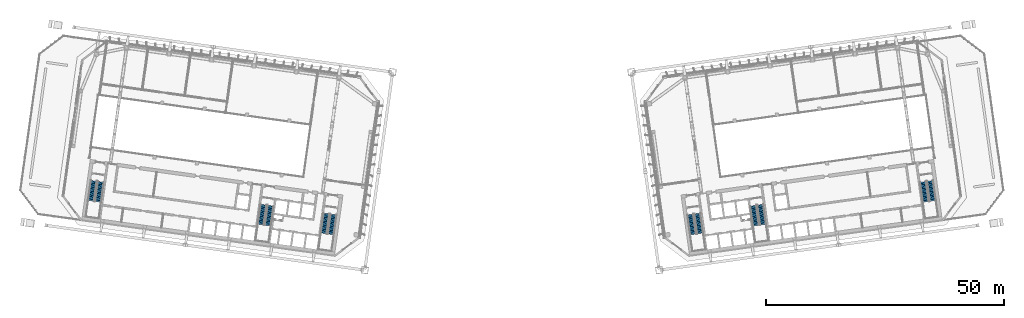
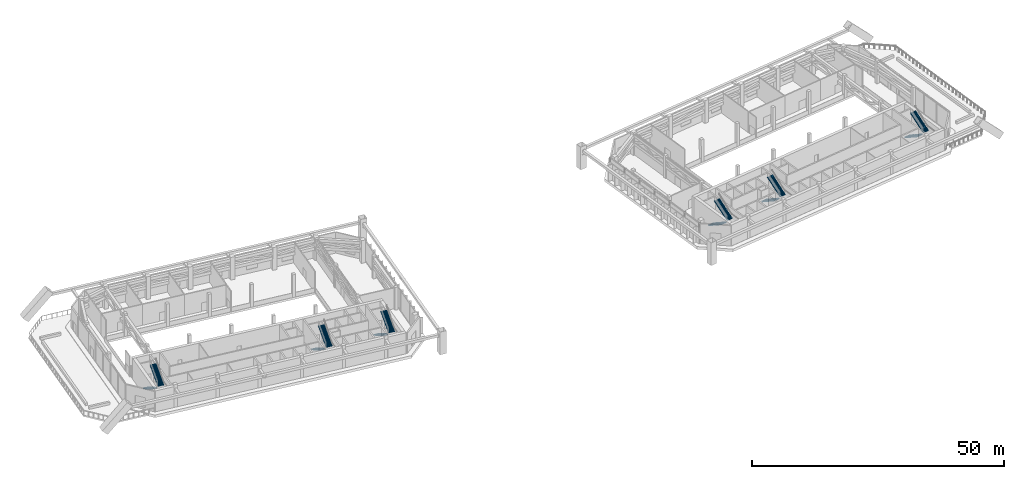
# One storey, part 26 of 41: 12 stair flights, 6 elements without a shape of their own.
"""IFC4 building model written with IfcOpenShell, lengths in metres."""

from ifc_helpers import new_model, si_unit, direction, frame, origin, place, context, subcontext, project, spatial, polyline, outline, extrude, material, type_object, element, aggregate, save


model = new_model("IFC4")

# Units and contexts
model_context = context("Model", 3, precision=1e-05, world=origin(), true_north=direction((0.0, 1.0)))
body_context = subcontext(model_context, "Body", "Model", "MODEL_VIEW")
ifc_project = project(units=[si_unit("LENGTHUNIT", "METRE"), si_unit("AREAUNIT", "SQUARE_METRE"), si_unit("VOLUMEUNIT", "CUBIC_METRE"), si_unit("PLANEANGLEUNIT", "RADIAN"), si_unit("MASSUNIT", "GRAM", prefix="KILO")], contexts=[model_context])

# Site, building, storey
site_placement = place(None, origin())
site = spatial("IfcSite", under=ifc_project, at=site_placement, CompositionType="ELEMENT")
building_placement = place(site_placement, origin())
building = spatial("IfcBuilding", under=site, at=building_placement, Name="Mirante Cascada Hotel Towers", CompositionType="ELEMENT")
storey_placement = place(building_placement, frame((0.0, 0.0, 151.9)))
storey = spatial("IfcBuildingStorey", under=building, at=storey_placement, Name="L35", CompositionType="ELEMENT", Elevation=151.9)

# Stair, stair flights
ifc_material_1 = material(Name="Concrete C35/45", Category="concrete")
stair_type = type_object("IfcStairType", Name="Exit stair half-turn 1350 concrete C35/45", PredefinedType="HALF_TURN_STAIR", material=ifc_material_1)
stair_1_placement = place(storey_placement, origin())
stair_1 = element("IfcStair", 1, at=stair_1_placement, inside=storey, type_object=stair_type, Name="L35 Exit stair A", PredefinedType="HALF_TURN_STAIR")
ifc_material_2 = material(Name="Concrete C35/45", Category="concrete")
stair_flight_type = type_object("IfcStairFlightType", Name="Exit stair flight 1350 concrete C35/45", PredefinedType="STRAIGHT", material=ifc_material_2)
stair_flight_1_placement = place(storey_placement, frame((-38.9417, -11.195, 0.0), z_axis=(0.0, 0.0, 1.0), x_axis=(-0.1391731, -0.9902681, 0.0)))
stair_flight_1 = element("IfcStairFlight", 2, at=stair_flight_1_placement, type_object=stair_flight_type, Name="ST1-A flight 1", NumberOfRisers=16, NumberOfTreads=15, PredefinedType="STRAIGHT", RiserHeight=0.171875, TreadLength=0.28, context=body_context, shape_type="SweptSolid", body=[
    extrude(outline(polyline([(0.0, 0.0), (0.0, 0.1719), (0.28, 0.1719), (0.28, 0.3438), (0.56, 0.3438), (0.56, 0.5156), (0.84, 0.5156), (0.84, 0.6875), (1.12, 0.6875), (1.12, 0.8594), (1.4, 0.8594), (1.4, 1.0312), (1.68, 1.0312), (1.68, 1.2031), (1.96, 1.2031), (1.96, 1.375), (2.24, 1.375), (2.24, 1.5469), (2.52, 1.5469), (2.52, 1.7188), (2.8, 1.7188), (2.8, 1.8906), (3.08, 1.8906), (3.08, 2.0625), (3.36, 2.0625), (3.36, 2.2344), (3.64, 2.2344), (3.64, 2.4062), (3.92, 2.4062), (3.92, 2.5781), (4.2, 2.5781), (4.2, 2.75), (4.2, 2.4021), (0.2867, 0.0), (0.0, 0.0)])), frame((0.0, 0.675, 0.0), z_axis=(0.0, -1.0, 0.0), x_axis=(1.0, 0.0, 0.0)), (0.0, 0.0, 1.0), 1.35),
])
stair_flight_2_placement = place(storey_placement, frame((-38.0408, -15.5629, 2.75), z_axis=(0.0, 0.0, 1.0), x_axis=(0.1391731, 0.9902681, 0.0)))
stair_flight_2 = element("IfcStairFlight", 3, at=stair_flight_2_placement, type_object=stair_flight_type, Name="ST1-A flight 2", NumberOfRisers=16, NumberOfTreads=15, PredefinedType="STRAIGHT", RiserHeight=0.171875, TreadLength=0.28, context=body_context, shape_type="SweptSolid", body=[
    extrude(outline(polyline([(0.0, 0.0), (0.0, 0.1719), (0.28, 0.1719), (0.28, 0.3438), (0.56, 0.3438), (0.56, 0.5156), (0.84, 0.5156), (0.84, 0.6875), (1.12, 0.6875), (1.12, 0.8594), (1.4, 0.8594), (1.4, 1.0312), (1.68, 1.0312), (1.68, 1.2031), (1.96, 1.2031), (1.96, 1.375), (2.24, 1.375), (2.24, 1.5469), (2.52, 1.5469), (2.52, 1.7188), (2.8, 1.7188), (2.8, 1.8906), (3.08, 1.8906), (3.08, 2.0625), (3.36, 2.0625), (3.36, 2.2344), (3.64, 2.2344), (3.64, 2.4062), (3.92, 2.4062), (3.92, 2.5781), (4.2, 2.5781), (4.2, 2.75), (4.2, 2.4021), (0.2867, 0.0), (0.0, 0.0)])), frame((0.0, 0.675, 0.0), z_axis=(0.0, -1.0, 0.0), x_axis=(1.0, 0.0, 0.0)), (0.0, 0.0, 1.0), 1.35),
])
aggregate(stair_1, [stair_flight_1, stair_flight_2])

stair_2_placement = place(storey_placement, origin())
stair_2 = element("IfcStair", 4, at=stair_2_placement, inside=storey, type_object=stair_type, Name="L35 Exit stair B", PredefinedType="HALF_TURN_STAIR")
stair_flight_3_placement = place(storey_placement, frame((-52.1618, -9.3371, 0.0), z_axis=(0.0, 0.0, 1.0), x_axis=(-0.1391731, -0.9902681, 0.0)))
stair_flight_3 = element("IfcStairFlight", 5, at=stair_flight_3_placement, type_object=stair_flight_type, Name="ST1-B flight 1", NumberOfRisers=16, NumberOfTreads=15, PredefinedType="STRAIGHT", RiserHeight=0.171875, TreadLength=0.28, context=body_context, shape_type="SweptSolid", body=[
    extrude(outline(polyline([(0.0, 0.0), (0.0, 0.1719), (0.28, 0.1719), (0.28, 0.3438), (0.56, 0.3438), (0.56, 0.5156), (0.84, 0.5156), (0.84, 0.6875), (1.12, 0.6875), (1.12, 0.8594), (1.4, 0.8594), (1.4, 1.0312), (1.68, 1.0312), (1.68, 1.2031), (1.96, 1.2031), (1.96, 1.375), (2.24, 1.375), (2.24, 1.5469), (2.52, 1.5469), (2.52, 1.7188), (2.8, 1.7188), (2.8, 1.8906), (3.08, 1.8906), (3.08, 2.0625), (3.36, 2.0625), (3.36, 2.2344), (3.64, 2.2344), (3.64, 2.4062), (3.92, 2.4062), (3.92, 2.5781), (4.2, 2.5781), (4.2, 2.75), (4.2, 2.4021), (0.2867, 0.0), (0.0, 0.0)])), frame((0.0, 0.675, 0.0), z_axis=(0.0, -1.0, 0.0), x_axis=(1.0, 0.0, 0.0)), (0.0, 0.0, 1.0), 1.35),
])
stair_flight_4_placement = place(storey_placement, frame((-51.2609, -13.705, 2.75), z_axis=(0.0, 0.0, 1.0), x_axis=(0.1391731, 0.9902681, 0.0)))
stair_flight_4 = element("IfcStairFlight", 6, at=stair_flight_4_placement, type_object=stair_flight_type, Name="ST1-B flight 2", NumberOfRisers=16, NumberOfTreads=15, PredefinedType="STRAIGHT", RiserHeight=0.171875, TreadLength=0.28, context=body_context, shape_type="SweptSolid", body=[
    extrude(outline(polyline([(0.0, 0.0), (0.0, 0.1719), (0.28, 0.1719), (0.28, 0.3438), (0.56, 0.3438), (0.56, 0.5156), (0.84, 0.5156), (0.84, 0.6875), (1.12, 0.6875), (1.12, 0.8594), (1.4, 0.8594), (1.4, 1.0312), (1.68, 1.0312), (1.68, 1.2031), (1.96, 1.2031), (1.96, 1.375), (2.24, 1.375), (2.24, 1.5469), (2.52, 1.5469), (2.52, 1.7188), (2.8, 1.7188), (2.8, 1.8906), (3.08, 1.8906), (3.08, 2.0625), (3.36, 2.0625), (3.36, 2.2344), (3.64, 2.2344), (3.64, 2.4062), (3.92, 2.4062), (3.92, 2.5781), (4.2, 2.5781), (4.2, 2.75), (4.2, 2.4021), (0.2867, 0.0), (0.0, 0.0)])), frame((0.0, 0.675, 0.0), z_axis=(0.0, -1.0, 0.0), x_axis=(1.0, 0.0, 0.0)), (0.0, 0.0, 1.0), 1.35),
])
aggregate(stair_2, [stair_flight_3, stair_flight_4])

stair_3_placement = place(storey_placement, origin())
stair_3 = element("IfcStair", 7, at=stair_3_placement, inside=storey, type_object=stair_type, Name="L35 Exit stair C", PredefinedType="HALF_TURN_STAIR")
stair_flight_5_placement = place(storey_placement, frame((-87.8115, -4.3268, 0.0), z_axis=(0.0, 0.0, 1.0), x_axis=(-0.1391731, -0.9902681, 0.0)))
stair_flight_5 = element("IfcStairFlight", 8, at=stair_flight_5_placement, type_object=stair_flight_type, Name="ST1-C flight 1", NumberOfRisers=16, NumberOfTreads=15, PredefinedType="STRAIGHT", RiserHeight=0.171875, TreadLength=0.28, context=body_context, shape_type="SweptSolid", body=[
    extrude(outline(polyline([(0.0, 0.0), (0.0, 0.1719), (0.28, 0.1719), (0.28, 0.3438), (0.56, 0.3438), (0.56, 0.5156), (0.84, 0.5156), (0.84, 0.6875), (1.12, 0.6875), (1.12, 0.8594), (1.4, 0.8594), (1.4, 1.0312), (1.68, 1.0312), (1.68, 1.2031), (1.96, 1.2031), (1.96, 1.375), (2.24, 1.375), (2.24, 1.5469), (2.52, 1.5469), (2.52, 1.7188), (2.8, 1.7188), (2.8, 1.8906), (3.08, 1.8906), (3.08, 2.0625), (3.36, 2.0625), (3.36, 2.2344), (3.64, 2.2344), (3.64, 2.4062), (3.92, 2.4062), (3.92, 2.5781), (4.2, 2.5781), (4.2, 2.75), (4.2, 2.4021), (0.2867, 0.0), (0.0, 0.0)])), frame((0.0, 0.675, 0.0), z_axis=(0.0, -1.0, 0.0), x_axis=(1.0, 0.0, 0.0)), (0.0, 0.0, 1.0), 1.35),
])
stair_flight_6_placement = place(storey_placement, frame((-86.9106, -8.6947, 2.75), z_axis=(0.0, 0.0, 1.0), x_axis=(0.1391731, 0.9902681, 0.0)))
stair_flight_6 = element("IfcStairFlight", 9, at=stair_flight_6_placement, type_object=stair_flight_type, Name="ST1-C flight 2", NumberOfRisers=16, NumberOfTreads=15, PredefinedType="STRAIGHT", RiserHeight=0.171875, TreadLength=0.28, context=body_context, shape_type="SweptSolid", body=[
    extrude(outline(polyline([(0.0, 0.0), (0.0, 0.1719), (0.28, 0.1719), (0.28, 0.3438), (0.56, 0.3438), (0.56, 0.5156), (0.84, 0.5156), (0.84, 0.6875), (1.12, 0.6875), (1.12, 0.8594), (1.4, 0.8594), (1.4, 1.0312), (1.68, 1.0312), (1.68, 1.2031), (1.96, 1.2031), (1.96, 1.375), (2.24, 1.375), (2.24, 1.5469), (2.52, 1.5469), (2.52, 1.7188), (2.8, 1.7188), (2.8, 1.8906), (3.08, 1.8906), (3.08, 2.0625), (3.36, 2.0625), (3.36, 2.2344), (3.64, 2.2344), (3.64, 2.4062), (3.92, 2.4062), (3.92, 2.5781), (4.2, 2.5781), (4.2, 2.75), (4.2, 2.4021), (0.2867, 0.0), (0.0, 0.0)])), frame((0.0, 0.675, 0.0), z_axis=(0.0, -1.0, 0.0), x_axis=(1.0, 0.0, 0.0)), (0.0, 0.0, 1.0), 1.35),
])
aggregate(stair_3, [stair_flight_5, stair_flight_6])

stair_4_placement = place(storey_placement, origin())
stair_4 = element("IfcStair", 10, at=stair_4_placement, inside=storey, type_object=stair_type, Name="L35 Exit stair A", PredefinedType="HALF_TURN_STAIR")
stair_flight_7_placement = place(storey_placement, frame((37.4563, -11.4038, 0.0), z_axis=(0.0, 0.0, 1.0), x_axis=(0.1391731, -0.9902681, 0.0)))
stair_flight_7 = element("IfcStairFlight", 11, at=stair_flight_7_placement, type_object=stair_flight_type, Name="ST2-A flight 1", NumberOfRisers=16, NumberOfTreads=15, PredefinedType="STRAIGHT", RiserHeight=0.171875, TreadLength=0.28, context=body_context, shape_type="SweptSolid", body=[
    extrude(outline(polyline([(0.0, 0.0), (0.0, 0.1719), (0.28, 0.1719), (0.28, 0.3438), (0.56, 0.3438), (0.56, 0.5156), (0.84, 0.5156), (0.84, 0.6875), (1.12, 0.6875), (1.12, 0.8594), (1.4, 0.8594), (1.4, 1.0312), (1.68, 1.0312), (1.68, 1.2031), (1.96, 1.2031), (1.96, 1.375), (2.24, 1.375), (2.24, 1.5469), (2.52, 1.5469), (2.52, 1.7188), (2.8, 1.7188), (2.8, 1.8906), (3.08, 1.8906), (3.08, 2.0625), (3.36, 2.0625), (3.36, 2.2344), (3.64, 2.2344), (3.64, 2.4062), (3.92, 2.4062), (3.92, 2.5781), (4.2, 2.5781), (4.2, 2.75), (4.2, 2.4021), (0.2867, 0.0), (0.0, 0.0)])), frame((0.0, 0.675, 0.0), z_axis=(0.0, -1.0, 0.0), x_axis=(1.0, 0.0, 0.0)), (0.0, 0.0, 1.0), 1.35),
])
stair_flight_8_placement = place(storey_placement, frame((39.5262, -15.3542, 2.75), z_axis=(0.0, 0.0, 1.0), x_axis=(-0.1391731, 0.9902681, 0.0)))
stair_flight_8 = element("IfcStairFlight", 12, at=stair_flight_8_placement, type_object=stair_flight_type, Name="ST2-A flight 2", NumberOfRisers=16, NumberOfTreads=15, PredefinedType="STRAIGHT", RiserHeight=0.171875, TreadLength=0.28, context=body_context, shape_type="SweptSolid", body=[
    extrude(outline(polyline([(0.0, 0.0), (0.0, 0.1719), (0.28, 0.1719), (0.28, 0.3438), (0.56, 0.3438), (0.56, 0.5156), (0.84, 0.5156), (0.84, 0.6875), (1.12, 0.6875), (1.12, 0.8594), (1.4, 0.8594), (1.4, 1.0312), (1.68, 1.0312), (1.68, 1.2031), (1.96, 1.2031), (1.96, 1.375), (2.24, 1.375), (2.24, 1.5469), (2.52, 1.5469), (2.52, 1.7188), (2.8, 1.7188), (2.8, 1.8906), (3.08, 1.8906), (3.08, 2.0625), (3.36, 2.0625), (3.36, 2.2344), (3.64, 2.2344), (3.64, 2.4062), (3.92, 2.4062), (3.92, 2.5781), (4.2, 2.5781), (4.2, 2.75), (4.2, 2.4021), (0.2867, 0.0), (0.0, 0.0)])), frame((0.0, 0.675, 0.0), z_axis=(0.0, -1.0, 0.0), x_axis=(1.0, 0.0, 0.0)), (0.0, 0.0, 1.0), 1.35),
])
aggregate(stair_4, [stair_flight_7, stair_flight_8])

stair_5_placement = place(storey_placement, origin())
stair_5 = element("IfcStair", 13, at=stair_5_placement, inside=storey, type_object=stair_type, Name="L35 Exit stair B", PredefinedType="HALF_TURN_STAIR")
stair_flight_9_placement = place(storey_placement, frame((50.6764, -9.5458, 0.0), z_axis=(0.0, 0.0, 1.0), x_axis=(0.1391731, -0.9902681, 0.0)))
stair_flight_9 = element("IfcStairFlight", 14, at=stair_flight_9_placement, type_object=stair_flight_type, Name="ST2-B flight 1", NumberOfRisers=16, NumberOfTreads=15, PredefinedType="STRAIGHT", RiserHeight=0.171875, TreadLength=0.28, context=body_context, shape_type="SweptSolid", body=[
    extrude(outline(polyline([(0.0, 0.0), (0.0, 0.1719), (0.28, 0.1719), (0.28, 0.3438), (0.56, 0.3438), (0.56, 0.5156), (0.84, 0.5156), (0.84, 0.6875), (1.12, 0.6875), (1.12, 0.8594), (1.4, 0.8594), (1.4, 1.0312), (1.68, 1.0312), (1.68, 1.2031), (1.96, 1.2031), (1.96, 1.375), (2.24, 1.375), (2.24, 1.5469), (2.52, 1.5469), (2.52, 1.7188), (2.8, 1.7188), (2.8, 1.8906), (3.08, 1.8906), (3.08, 2.0625), (3.36, 2.0625), (3.36, 2.2344), (3.64, 2.2344), (3.64, 2.4062), (3.92, 2.4062), (3.92, 2.5781), (4.2, 2.5781), (4.2, 2.75), (4.2, 2.4021), (0.2867, 0.0), (0.0, 0.0)])), frame((0.0, 0.675, 0.0), z_axis=(0.0, -1.0, 0.0), x_axis=(1.0, 0.0, 0.0)), (0.0, 0.0, 1.0), 1.35),
])
stair_flight_10_placement = place(storey_placement, frame((52.7463, -13.4962, 2.75), z_axis=(0.0, 0.0, 1.0), x_axis=(-0.1391731, 0.9902681, 0.0)))
stair_flight_10 = element("IfcStairFlight", 15, at=stair_flight_10_placement, type_object=stair_flight_type, Name="ST2-B flight 2", NumberOfRisers=16, NumberOfTreads=15, PredefinedType="STRAIGHT", RiserHeight=0.171875, TreadLength=0.28, context=body_context, shape_type="SweptSolid", body=[
    extrude(outline(polyline([(0.0, 0.0), (0.0, 0.1719), (0.28, 0.1719), (0.28, 0.3438), (0.56, 0.3438), (0.56, 0.5156), (0.84, 0.5156), (0.84, 0.6875), (1.12, 0.6875), (1.12, 0.8594), (1.4, 0.8594), (1.4, 1.0312), (1.68, 1.0312), (1.68, 1.2031), (1.96, 1.2031), (1.96, 1.375), (2.24, 1.375), (2.24, 1.5469), (2.52, 1.5469), (2.52, 1.7188), (2.8, 1.7188), (2.8, 1.8906), (3.08, 1.8906), (3.08, 2.0625), (3.36, 2.0625), (3.36, 2.2344), (3.64, 2.2344), (3.64, 2.4062), (3.92, 2.4062), (3.92, 2.5781), (4.2, 2.5781), (4.2, 2.75), (4.2, 2.4021), (0.2867, 0.0), (0.0, 0.0)])), frame((0.0, 0.675, 0.0), z_axis=(0.0, -1.0, 0.0), x_axis=(1.0, 0.0, 0.0)), (0.0, 0.0, 1.0), 1.35),
])
aggregate(stair_5, [stair_flight_9, stair_flight_10])

stair_6_placement = place(storey_placement, origin())
stair_6 = element("IfcStair", 16, at=stair_6_placement, inside=storey, type_object=stair_type, Name="L35 Exit stair C", PredefinedType="HALF_TURN_STAIR")
stair_flight_11_placement = place(storey_placement, frame((86.326, -4.5356, 0.0), z_axis=(0.0, 0.0, 1.0), x_axis=(0.1391731, -0.9902681, 0.0)))
stair_flight_11 = element("IfcStairFlight", 17, at=stair_flight_11_placement, type_object=stair_flight_type, Name="ST2-C flight 1", NumberOfRisers=16, NumberOfTreads=15, PredefinedType="STRAIGHT", RiserHeight=0.171875, TreadLength=0.28, context=body_context, shape_type="SweptSolid", body=[
    extrude(outline(polyline([(0.0, 0.0), (0.0, 0.1719), (0.28, 0.1719), (0.28, 0.3438), (0.56, 0.3438), (0.56, 0.5156), (0.84, 0.5156), (0.84, 0.6875), (1.12, 0.6875), (1.12, 0.8594), (1.4, 0.8594), (1.4, 1.0312), (1.68, 1.0312), (1.68, 1.2031), (1.96, 1.2031), (1.96, 1.375), (2.24, 1.375), (2.24, 1.5469), (2.52, 1.5469), (2.52, 1.7188), (2.8, 1.7188), (2.8, 1.8906), (3.08, 1.8906), (3.08, 2.0625), (3.36, 2.0625), (3.36, 2.2344), (3.64, 2.2344), (3.64, 2.4062), (3.92, 2.4062), (3.92, 2.5781), (4.2, 2.5781), (4.2, 2.75), (4.2, 2.4021), (0.2867, 0.0), (0.0, 0.0)])), frame((0.0, 0.675, 0.0), z_axis=(0.0, -1.0, 0.0), x_axis=(1.0, 0.0, 0.0)), (0.0, 0.0, 1.0), 1.35),
])
stair_flight_12_placement = place(storey_placement, frame((88.396, -8.486, 2.75), z_axis=(0.0, 0.0, 1.0), x_axis=(-0.1391731, 0.9902681, 0.0)))
stair_flight_12 = element("IfcStairFlight", 18, at=stair_flight_12_placement, type_object=stair_flight_type, Name="ST2-C flight 2", NumberOfRisers=16, NumberOfTreads=15, PredefinedType="STRAIGHT", RiserHeight=0.171875, TreadLength=0.28, context=body_context, shape_type="SweptSolid", body=[
    extrude(outline(polyline([(0.0, 0.0), (0.0, 0.1719), (0.28, 0.1719), (0.28, 0.3438), (0.56, 0.3438), (0.56, 0.5156), (0.84, 0.5156), (0.84, 0.6875), (1.12, 0.6875), (1.12, 0.8594), (1.4, 0.8594), (1.4, 1.0312), (1.68, 1.0312), (1.68, 1.2031), (1.96, 1.2031), (1.96, 1.375), (2.24, 1.375), (2.24, 1.5469), (2.52, 1.5469), (2.52, 1.7188), (2.8, 1.7188), (2.8, 1.8906), (3.08, 1.8906), (3.08, 2.0625), (3.36, 2.0625), (3.36, 2.2344), (3.64, 2.2344), (3.64, 2.4062), (3.92, 2.4062), (3.92, 2.5781), (4.2, 2.5781), (4.2, 2.75), (4.2, 2.4021), (0.2867, 0.0), (0.0, 0.0)])), frame((0.0, 0.675, 0.0), z_axis=(0.0, -1.0, 0.0), x_axis=(1.0, 0.0, 0.0)), (0.0, 0.0, 1.0), 1.35),
])
aggregate(stair_6, [stair_flight_11, stair_flight_12])

save(model, "model.ifc")
